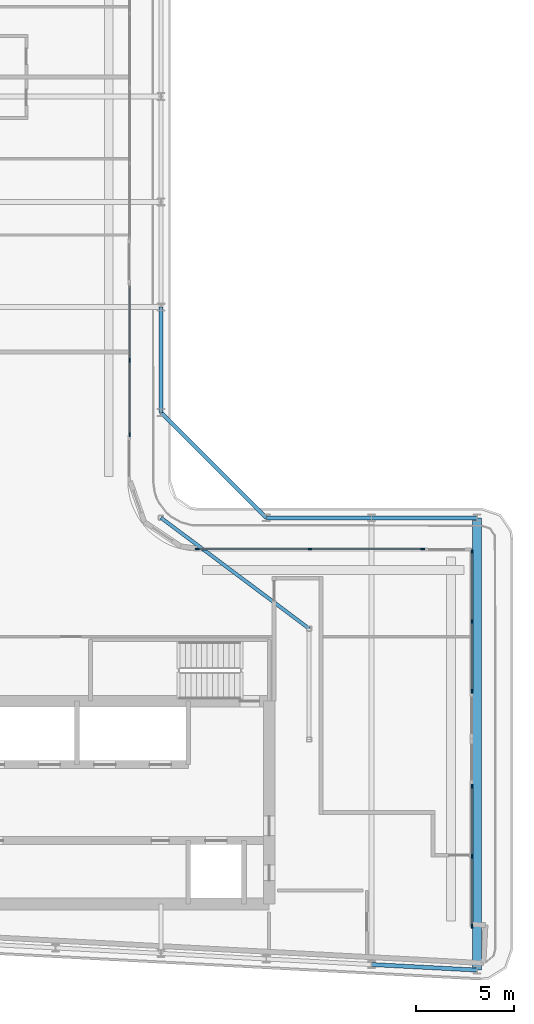
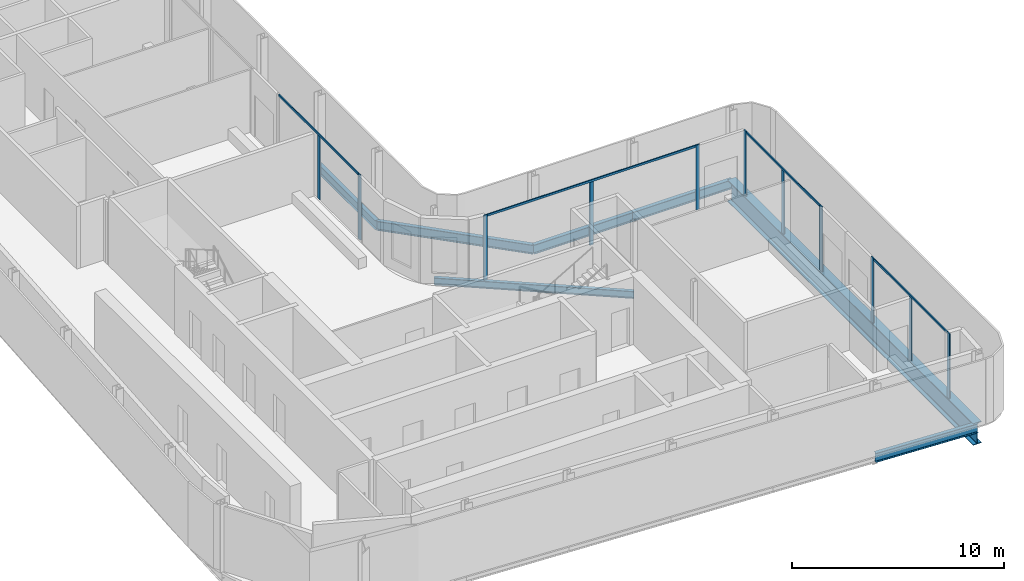
# One storey, part 6 of 21: 15 members, 7 beams, 4 elements without a shape of their own.
"""IFC4 building model written with IfcOpenShell, lengths in metres."""

from ifc_helpers import new_model, si_unit, direction, frame, origin, origin_2d, place, context, subcontext, project, spatial, rectangle, i_section, extrude, material, layer, layer_set, material_profile, profile_set, type_object, element, aggregate, save


model = new_model("IFC4")

# Units and contexts
model_context = context("Model", 3, precision=1e-05, world=origin(), true_north=direction((0.0, 1.0)))
body_context = subcontext(model_context, "Body", "Model", "MODEL_VIEW")
ifc_project = project(units=[si_unit("LENGTHUNIT", "METRE"), si_unit("AREAUNIT", "SQUARE_METRE"), si_unit("VOLUMEUNIT", "CUBIC_METRE"), si_unit("PLANEANGLEUNIT", "RADIAN"), si_unit("MASSUNIT", "GRAM", prefix="KILO")], contexts=[model_context])

# Site, building, storey
site_placement = place(None, origin())
site = spatial("IfcSite", under=ifc_project, at=site_placement, CompositionType="ELEMENT")
building_placement = place(site_placement, origin())
building = spatial("IfcBuilding", under=site, at=building_placement, Name="Kheshtan School and Residences Tower", CompositionType="ELEMENT")
storey_placement = place(building_placement, frame((0.0, 0.0, 282.5)))
storey = spatial("IfcBuildingStorey", under=building, at=storey_placement, Name="L66", CompositionType="ELEMENT", Elevation=282.5)

# Beams
ifc_material_1 = material(Name="Steel ASTM A992 Grade 50", Category="steel")
ifc_material_profile_1 = material_profile(ifc_material_1, i_section(OverallWidth=0.180908203125, OverallDepth=0.4169921875, WebThickness=0.010986328125, FlangeThickness=0.018310546875, FilletRadius=0.012451171875, at=origin_2d()), Name="W410x85")
ifc_profile_set_1 = profile_set([ifc_material_profile_1], Name="Steel ASTM A992 Grade 50")
beam_type_1 = type_object("IfcBeamType", Name="Beam FB3 W410x85 ASTM A992 Grade 50", PredefinedType="BEAM", material=ifc_profile_set_1)
beam_1_placement = place(storey_placement, frame((47.60009765625, 45.60009765625, -0.3583984375), z_axis=(0.800798828004, -0.598933416222, 0.0), x_axis=(0.598933416222, 0.800798828004, 0.0)))
element("IfcBeam", 1, at=beam_1_placement, inside=storey, type_object=beam_type_1, Name="Floor beam IC", PredefinedType="BEAM", context=body_context, shape_type="SweptSolid", body=[
    extrude(i_section(OverallWidth=0.180908203125, OverallDepth=0.4169921875, WebThickness=0.010986328125, FlangeThickness=0.018310546875, FilletRadius=0.012451171875, at=origin_2d()), origin(), (0.0, 0.0, 1.0), 9.490234375),
])
ifc_material_profile_2 = material_profile(ifc_material_1, i_section(OverallWidth=0.208984375, OverallDepth=0.532958984375, WebThickness=0.01025390625, FlangeThickness=0.015625, FilletRadius=0.013916015625, at=origin_2d()), Name="W530x92")
ifc_profile_set_2 = profile_set([ifc_material_profile_2], Name="Steel ASTM A992 Grade 50")
beam_type_2 = type_object("IfcBeamType", Name="Beam SP3 W530x92 ASTM A992 Grade 50", PredefinedType="BEAM", material=ifc_profile_set_2)
beam_2_placement = place(storey_placement, frame((47.60009765625, 56.39990234375, -0.41650390625), z_axis=(0.0, -1.0, 0.0), x_axis=(1.0, 0.0, 0.0)))
element("IfcBeam", 2, at=beam_2_placement, inside=storey, type_object=beam_type_2, Name="Spandrel beam C081-C079", PredefinedType="BEAM", context=body_context, shape_type="SweptSolid", body=[
    extrude(i_section(OverallWidth=0.208984375, OverallDepth=0.532958984375, WebThickness=0.01025390625, FlangeThickness=0.015625, FilletRadius=0.013916015625, at=origin_2d()), origin(), (0.0, 0.0, 1.0), 5.39990234375),
])
beam_3_placement = place(storey_placement, frame((47.60009765625, 51.0, -0.41650390625), z_axis=(0.707106781187, -0.707106781187, 0.0), x_axis=(0.707106781187, 0.707106781187, 0.0)))
element("IfcBeam", 3, at=beam_3_placement, inside=storey, type_object=beam_type_2, Name="Spandrel beam C079-C061", PredefinedType="BEAM", context=body_context, shape_type="SweptSolid", body=[
    extrude(i_section(OverallWidth=0.208984375, OverallDepth=0.532958984375, WebThickness=0.01025390625, FlangeThickness=0.015625, FilletRadius=0.013916015625, at=origin_2d()), origin(), (0.0, 0.0, 1.0), 7.63671875),
])
beam_4_placement = place(storey_placement, frame((53.0, 45.60009765625, -0.41650390625), z_axis=(1.0, 0.0, 0.0), x_axis=(0.0, 1.0, 0.0)))
element("IfcBeam", 4, at=beam_4_placement, inside=storey, type_object=beam_type_2, Name="Spandrel beam C061-C062", PredefinedType="BEAM", context=body_context, shape_type="SweptSolid", body=[
    extrude(i_section(OverallWidth=0.208984375, OverallDepth=0.532958984375, WebThickness=0.01025390625, FlangeThickness=0.015625, FilletRadius=0.013916015625, at=origin_2d()), origin(), (0.0, 0.0, 1.0), 5.39990234375),
])
beam_5_placement = place(storey_placement, frame((58.39990234375, 45.60009765625, -0.41650390625), z_axis=(1.0, 0.0, 0.0), x_axis=(0.0, 1.0, 0.0)))
element("IfcBeam", 5, at=beam_5_placement, inside=storey, type_object=beam_type_2, Name="Spandrel beam C062-C063", PredefinedType="BEAM", context=body_context, shape_type="SweptSolid", body=[
    extrude(i_section(OverallWidth=0.208984375, OverallDepth=0.532958984375, WebThickness=0.01025390625, FlangeThickness=0.015625, FilletRadius=0.013916015625, at=origin_2d()), origin(), (0.0, 0.0, 1.0), 5.400146484375),
])
beam_6_placement = place(storey_placement, frame((63.800048828125, 22.410888671875, -0.41650390625), z_axis=(-0.998618203458, 0.052551724256, 0.0), x_axis=(-0.052551724256, -0.998618203458, 0.0)))
element("IfcBeam", 6, at=beam_6_placement, inside=storey, type_object=beam_type_2, Name="Spandrel beam C016-C018", PredefinedType="BEAM", context=body_context, shape_type="SweptSolid", body=[
    extrude(i_section(OverallWidth=0.208984375, OverallDepth=0.532958984375, WebThickness=0.01025390625, FlangeThickness=0.015625, FilletRadius=0.013916015625, at=origin_2d()), origin(), (0.0, 0.0, 1.0), 5.40771484375),
])

# Curtain wall, members
ifc_material_2 = material(Name="Clear low-e glass in thermally broken aluminium frame", Category="aluminium")
ifc_layer = layer(ifc_material_2, 0.199951171875)
ifc_layer_set = layer_set([ifc_layer], Name="Curtain wall CW-L")
curtain_wall_type = type_object("IfcCurtainWallType", Name="Curtain wall CW-L", PredefinedType="NOTDEFINED", material=ifc_layer_set)
curtain_wall_1_placement = place(storey_placement, origin())
curtain_wall_1 = element("IfcCurtainWall", 7, at=curtain_wall_1_placement, inside=storey, type_object=curtain_wall_type, Name="Curtain wall CWL8", PredefinedType="NOTDEFINED")
ifc_material_3 = material(Name="Thermally broken aluminium, dark bronze anodised", Category="aluminium")
ifc_material_profile_3 = material_profile(ifc_material_3, rectangle(XDim=0.06005859375, YDim=0.199951171875, at=origin_2d()), Name="CW-L mullion 60x200")
ifc_profile_set_3 = profile_set([ifc_material_profile_3], Name="Thermally broken aluminium, dark bronze anodised")
member_type_1 = type_object("IfcMemberType", Name="CW-L mullion 60x200", PredefinedType="MULLION", material=ifc_profile_set_3)
member_1_placement = place(storey_placement, frame((46.0, 53.677001953125, 0.0), z_axis=(0.0, 0.0, 1.0), x_axis=(1.0, 0.0, 0.0)))
member_1 = element("IfcMember", 8, at=member_1_placement, type_object=member_type_1, Name="CWL8 mullion 2", PredefinedType="MULLION", context=body_context, shape_type="SweptSolid", body=[
    extrude(rectangle(XDim=0.06005859375, YDim=0.199951171875, at=origin_2d()), origin(), (0.0, 0.0, 1.0), 3.6298828125),
])
member_2_placement = place(storey_placement, frame((46.0, 49.860107421875, 0.0), z_axis=(0.0, 0.0, 1.0), x_axis=(1.0, 0.0, 0.0)))
member_2 = element("IfcMember", 9, at=member_2_placement, type_object=member_type_1, Name="CWL8 mullion 3", PredefinedType="MULLION", context=body_context, shape_type="SweptSolid", body=[
    extrude(rectangle(XDim=0.06005859375, YDim=0.199951171875, at=origin_2d()), origin(), (0.0, 0.0, 1.0), 3.75),
])

curtain_wall_2_placement = place(storey_placement, origin())
curtain_wall_2 = element("IfcCurtainWall", 10, at=curtain_wall_2_placement, inside=storey, type_object=curtain_wall_type, Name="Curtain wall CWL1232", PredefinedType="NOTDEFINED")
member_3_placement = place(storey_placement, frame((49.4599609375, 44.0, 0.0), z_axis=(0.0, 0.0, 1.0), x_axis=(0.0, 1.0, 0.0)))
member_3 = element("IfcMember", 11, at=member_3_placement, type_object=member_type_1, Name="CWL1232 mullion 1", PredefinedType="MULLION", context=body_context, shape_type="SweptSolid", body=[
    extrude(rectangle(XDim=0.06005859375, YDim=0.199951171875, at=origin_2d()), origin(), (0.0, 0.0, 1.0), 3.75),
])
member_4_placement = place(storey_placement, frame((55.239990234375, 44.0, 0.0), z_axis=(0.0, 0.0, 1.0), x_axis=(0.0, 1.0, 0.0)))
member_4 = element("IfcMember", 12, at=member_4_placement, type_object=member_type_1, Name="CWL1232 mullion 2", PredefinedType="MULLION", context=body_context, shape_type="SweptSolid", body=[
    extrude(rectangle(XDim=0.06005859375, YDim=0.199951171875, at=origin_2d()), origin(), (0.0, 0.0, 1.0), 3.6298828125),
])
member_5_placement = place(storey_placement, frame((61.02001953125, 44.0, 0.0), z_axis=(0.0, 0.0, 1.0), x_axis=(0.0, 1.0, 0.0)))
member_5 = element("IfcMember", 13, at=member_5_placement, type_object=member_type_1, Name="CWL1232 mullion 3", PredefinedType="MULLION", context=body_context, shape_type="SweptSolid", body=[
    extrude(rectangle(XDim=0.06005859375, YDim=0.199951171875, at=origin_2d()), origin(), (0.0, 0.0, 1.0), 3.75),
])

curtain_wall_3_placement = place(storey_placement, origin())
curtain_wall_3 = element("IfcCurtainWall", 14, at=curtain_wall_3_placement, inside=storey, type_object=curtain_wall_type, Name="Curtain wall CWL13d", PredefinedType="NOTDEFINED")
member_6_placement = place(storey_placement, frame((63.550048828125, 43.8701171875, 0.0), z_axis=(0.0, 0.0, 1.0), x_axis=(1.0, 0.0, 0.0)))
member_6 = element("IfcMember", 15, at=member_6_placement, type_object=member_type_1, Name="CWL13d mullion 1", PredefinedType="MULLION", context=body_context, shape_type="SweptSolid", body=[
    extrude(rectangle(XDim=0.06005859375, YDim=0.199951171875, at=origin_2d()), origin(), (0.0, 0.0, 1.0), 3.75),
])
member_7_placement = place(storey_placement, frame((63.550048828125, 40.283203125, 0.0), z_axis=(0.0, 0.0, 1.0), x_axis=(1.0, 0.0, 0.0)))
member_7 = element("IfcMember", 16, at=member_7_placement, type_object=member_type_1, Name="CWL13d mullion 2", PredefinedType="MULLION", context=body_context, shape_type="SweptSolid", body=[
    extrude(rectangle(XDim=0.06005859375, YDim=0.199951171875, at=origin_2d()), origin(), (0.0, 0.0, 1.0), 3.6298828125),
])
member_8_placement = place(storey_placement, frame((63.550048828125, 36.696533203125, 0.0), z_axis=(0.0, 0.0, 1.0), x_axis=(1.0, 0.0, 0.0)))
member_8 = element("IfcMember", 17, at=member_8_placement, type_object=member_type_1, Name="CWL13d mullion 3", PredefinedType="MULLION", context=body_context, shape_type="SweptSolid", body=[
    extrude(rectangle(XDim=0.06005859375, YDim=0.199951171875, at=origin_2d()), origin(), (0.0, 0.0, 1.0), 3.75),
])

curtain_wall_4_placement = place(storey_placement, origin())
curtain_wall_4 = element("IfcCurtainWall", 18, at=curtain_wall_4_placement, inside=storey, type_object=curtain_wall_type, Name="Curtain wall CWL13d", PredefinedType="NOTDEFINED")
member_9_placement = place(storey_placement, frame((63.550048828125, 31.83642578125, 0.0), z_axis=(0.0, 0.0, 1.0), x_axis=(1.0, 0.0, 0.0)))
member_9 = element("IfcMember", 19, at=member_9_placement, type_object=member_type_1, Name="CWL13d mullion 1", PredefinedType="MULLION", context=body_context, shape_type="SweptSolid", body=[
    extrude(rectangle(XDim=0.06005859375, YDim=0.199951171875, at=origin_2d()), origin(), (0.0, 0.0, 1.0), 3.75),
])
member_10_placement = place(storey_placement, frame((63.550048828125, 28.249755859375, 0.0), z_axis=(0.0, 0.0, 1.0), x_axis=(1.0, 0.0, 0.0)))
member_10 = element("IfcMember", 20, at=member_10_placement, type_object=member_type_1, Name="CWL13d mullion 2", PredefinedType="MULLION", context=body_context, shape_type="SweptSolid", body=[
    extrude(rectangle(XDim=0.06005859375, YDim=0.199951171875, at=origin_2d()), origin(), (0.0, 0.0, 1.0), 3.6298828125),
])
member_11_placement = place(storey_placement, frame((63.550048828125, 24.6630859375, 0.0), z_axis=(0.0, 0.0, 1.0), x_axis=(1.0, 0.0, 0.0)))
member_11 = element("IfcMember", 21, at=member_11_placement, type_object=member_type_1, Name="CWL13d mullion 3", PredefinedType="MULLION", context=body_context, shape_type="SweptSolid", body=[
    extrude(rectangle(XDim=0.06005859375, YDim=0.199951171875, at=origin_2d()), origin(), (0.0, 0.0, 1.0), 3.75),
])

# Member
ifc_material_profile_4 = material_profile(ifc_material_3, rectangle(XDim=0.06005859375, YDim=0.1201171875, at=origin_2d()), Name="CW-L transom 60x120")
ifc_profile_set_4 = profile_set([ifc_material_profile_4], Name="Thermally broken aluminium, dark bronze anodised")
member_type_2 = type_object("IfcMemberType", Name="CW-L transom 60x120", PredefinedType="USERDEFINED", material=ifc_profile_set_4)
member_12_placement = place(storey_placement, frame((46.0, 57.464111328125, 3.68994140625), z_axis=(0.0, -1.0, 0.0), x_axis=(1.0, 0.0, 0.0)))
member_12 = element("IfcMember", 22, at=member_12_placement, type_object=member_type_2, Name="CWL8 transom 1", ObjectType="TRANSOM", PredefinedType="USERDEFINED", context=body_context, shape_type="SweptSolid", body=[
    extrude(rectangle(XDim=0.06005859375, YDim=0.1201171875, at=origin_2d()), origin(), (0.0, 0.0, 1.0), 7.57421875),
])

aggregate(curtain_wall_1, [member_1, member_2, member_12])

member_13_placement = place(storey_placement, frame((49.489990234375, 44.0, 3.68994140625), z_axis=(1.0, 0.0, 0.0), x_axis=(0.0, 1.0, 0.0)))
member_13 = element("IfcMember", 23, at=member_13_placement, type_object=member_type_2, Name="CWL1232 transom 1", ObjectType="TRANSOM", PredefinedType="USERDEFINED", context=body_context, shape_type="SweptSolid", body=[
    extrude(rectangle(XDim=0.06005859375, YDim=0.1201171875, at=origin_2d()), origin(), (0.0, 0.0, 1.0), 11.5),
])

aggregate(curtain_wall_2, [member_3, member_4, member_5, member_13])

member_14_placement = place(storey_placement, frame((63.550048828125, 43.840087890625, 3.68994140625), z_axis=(0.0, -1.0, 0.0), x_axis=(1.0, 0.0, 0.0)))
member_14 = element("IfcMember", 24, at=member_14_placement, type_object=member_type_2, Name="CWL13d transom 1", ObjectType="TRANSOM", PredefinedType="USERDEFINED", context=body_context, shape_type="SweptSolid", body=[
    extrude(rectangle(XDim=0.06005859375, YDim=0.1201171875, at=origin_2d()), origin(), (0.0, 0.0, 1.0), 7.113525390625),
])

aggregate(curtain_wall_3, [member_6, member_7, member_8, member_14])

member_15_placement = place(storey_placement, frame((63.550048828125, 31.806396484375, 3.68994140625), z_axis=(0.0, -1.0, 0.0), x_axis=(1.0, 0.0, 0.0)))
member_15 = element("IfcMember", 25, at=member_15_placement, type_object=member_type_2, Name="CWL13d transom 1", ObjectType="TRANSOM", PredefinedType="USERDEFINED", context=body_context, shape_type="SweptSolid", body=[
    extrude(rectangle(XDim=0.06005859375, YDim=0.1201171875, at=origin_2d()), origin(), (0.0, 0.0, 1.0), 7.11328125),
])

aggregate(curtain_wall_4, [member_9, member_10, member_11, member_15])

# Beam
ifc_material_profile_5 = material_profile(ifc_material_1, i_section(OverallWidth=0.449951171875, OverallDepth=1.25, WebThickness=0.02490234375, FlangeThickness=0.044921875, FilletRadius=0.03759765625, at=origin_2d()), Name="WWF1250x546")
ifc_profile_set_5 = profile_set([ifc_material_profile_5], Name="Steel ASTM A992 Grade 50")
beam_type_3 = type_object("IfcBeamType", Name="Transfer girder TG4 WWF1250x546 ASTM A992 Grade 50", PredefinedType="BEAM", material=ifc_profile_set_5)
beam_7_placement = place(storey_placement, frame((63.800048828125, 45.60009765625, -0.77490234375), z_axis=(0.0, -1.0, 0.0), x_axis=(1.0, 0.0, 0.0)))
element("IfcBeam", 26, at=beam_7_placement, inside=storey, type_object=beam_type_3, Name="Transfer girder C063-C016", PredefinedType="BEAM", context=body_context, shape_type="SweptSolid", body=[
    extrude(i_section(OverallWidth=0.449951171875, OverallDepth=1.25, WebThickness=0.02490234375, FlangeThickness=0.044921875, FilletRadius=0.03759765625, at=origin_2d()), origin(), (0.0, 0.0, 1.0), 23.189208984375),
])

save(model, "model.ifc")
